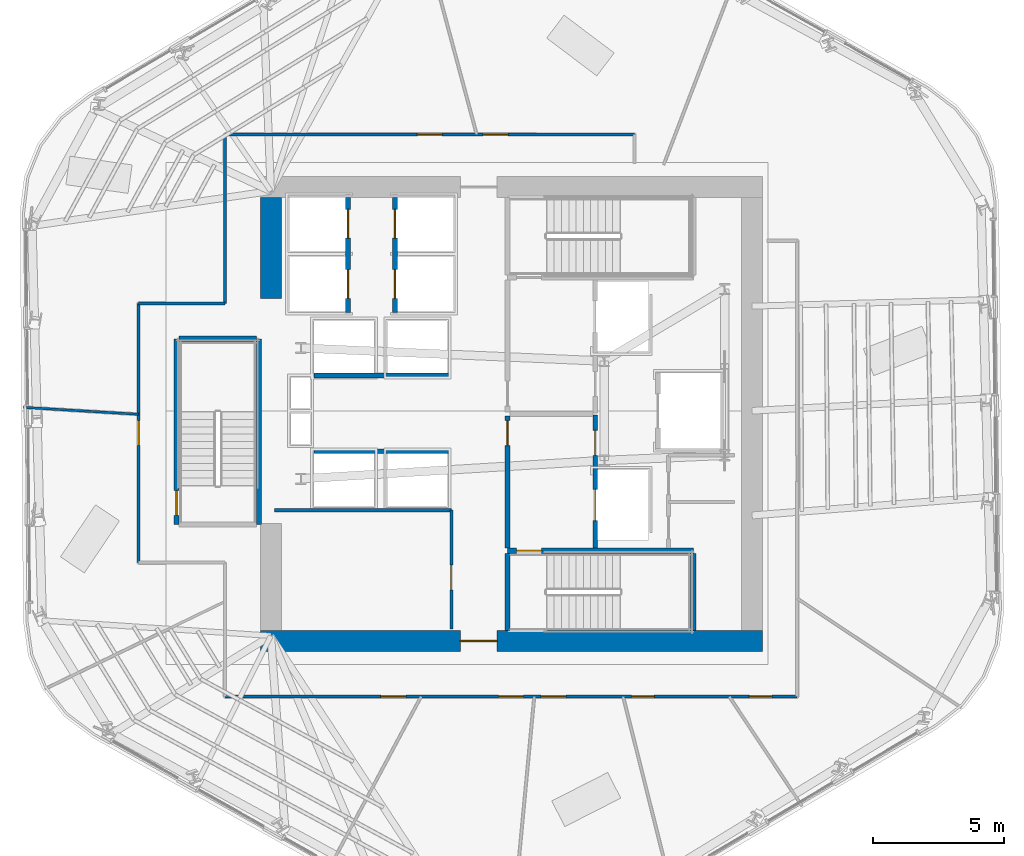
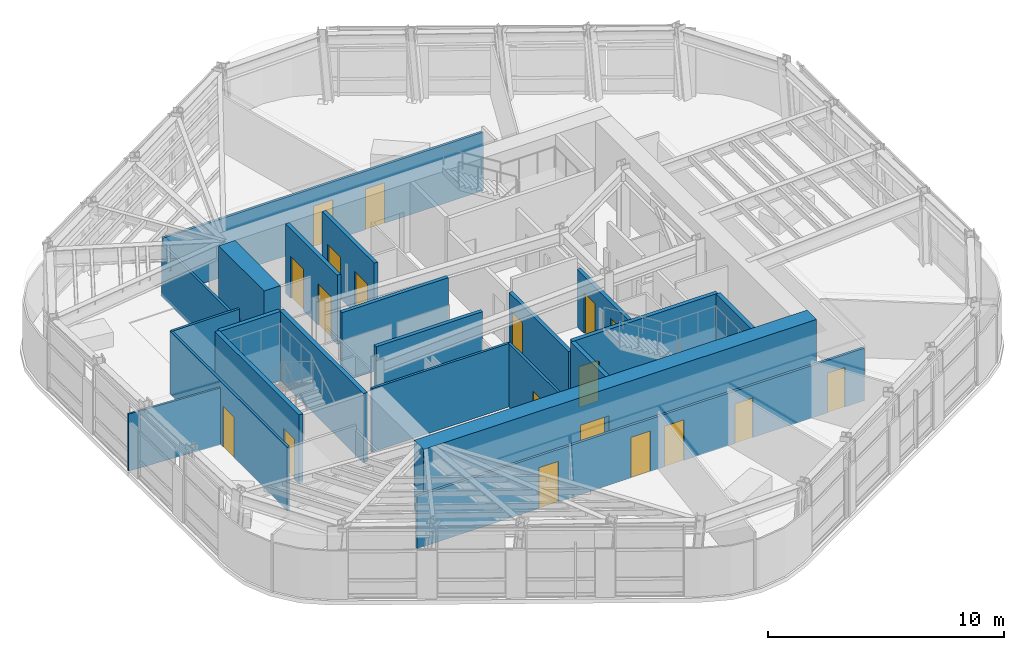
# One storey, part 8 of 16: 22 walls, 19 doors, 19 openings.
"""IFC4 building model written with IfcOpenShell, lengths in metres."""

from ifc_helpers import new_model, si_unit, direction, frame, frame_2d, origin, place, context, subcontext, project, spatial, rectangle, extrude, material, layer, layer_set, type_object, element, fill, save


model = new_model("IFC4")

# Units and contexts
model_context = context("Model", 3, precision=1e-05, world=origin(), true_north=direction((0.0, 1.0)))
body_context = subcontext(model_context, "Body", "Model", "MODEL_VIEW")
ifc_project = project(units=[si_unit("LENGTHUNIT", "METRE"), si_unit("AREAUNIT", "SQUARE_METRE"), si_unit("VOLUMEUNIT", "CUBIC_METRE"), si_unit("PLANEANGLEUNIT", "RADIAN"), si_unit("MASSUNIT", "GRAM", prefix="KILO")], contexts=[model_context])

# Site, building, storey
site_placement = place(None, origin())
site = spatial("IfcSite", under=ifc_project, at=site_placement, CompositionType="ELEMENT")
building_placement = place(site_placement, origin())
building = spatial("IfcBuilding", under=site, at=building_placement, Name="Valkerne Bourse Tower", CompositionType="ELEMENT")
storey_placement = place(building_placement, frame((0.0, 0.0, 155.199951171875)))
storey = spatial("IfcBuildingStorey", under=building, at=storey_placement, Name="L39", CompositionType="ELEMENT", Elevation=155.199951171875)

# Wall, opening, door
ifc_material_1 = material(Name="Concrete C55/67", Category="concrete")
ifc_layer_1 = layer(ifc_material_1, 0.800048828125)
ifc_layer_set_1 = layer_set([ifc_layer_1], Name="Concrete C55/67")
wall_type_1 = type_object("IfcWallType", Name="W-CORE-800", PredefinedType="SHEAR", material=ifc_layer_set_1)
wall_1_placement = place(storey_placement, frame((37.199951171875, 18.199951171875, 0.0), z_axis=(0.0, 0.0, 1.0), x_axis=(1.0, 0.0, 0.0)))
wall_1 = element("IfcWall", 1, at=wall_1_placement, inside=storey, type_object=wall_type_1, Name="L39 Core Shear Wall SOUTH", PredefinedType="SHEAR", context=body_context, shape_type="SweptSolid", body=[
    extrude(rectangle(XDim=19.199951171875, YDim=0.800048828125, at=frame_2d((9.60009765625, 0.0))), origin(), (0.0, 0.0, 1.0), 3.580078125),
])
opening_1_placement = place(wall_1_placement, frame((7.64990234375, 0.0, 0.0)))
opening_1 = element("IfcOpeningElement", 2, at=opening_1_placement, cuts=wall_1, Name="Opening D-PL-1400", PredefinedType="OPENING", context=body_context, shape_type="SweptSolid", body=[
    extrude(rectangle(XDim=1.39990234375, YDim=2.14990234375, at=frame_2d((0.699951171875, 1.074951171875))), frame((0.0, 0.409912109375, 0.0), z_axis=(0.0, -1.0, 0.0), x_axis=(1.0, 0.0, 0.0)), (0.0, 0.0, 1.0), 0.820068359375),
])
ifc_material_2 = material(Name="Galvanised Painted Steel", Category="steel")
door_type_1 = type_object("IfcDoorType", Name="DR-PLT-1400", OperationType="DOUBLE_DOOR_SINGLE_SWING", PredefinedType="DOOR", material=ifc_material_2)
door_1_placement = place(opening_1_placement, origin())
door_1 = element("IfcDoor", 3, at=door_1_placement, inside=storey, type_object=door_type_1, Name="L39 South Passenger Lift Hall Fire Door", OperationType="DOUBLE_DOOR_SINGLE_SWING", OverallHeight=2.14990234375, OverallWidth=1.39990234375, PredefinedType="DOOR", context=body_context, shape_type="SweptSolid", body=[
    extrude(rectangle(XDim=1.39990234375, YDim=2.14990234375, at=frame_2d((0.699951171875, 1.074951171875))), frame((0.0, 0.02490234375, 0.0), z_axis=(0.0, -1.0, 0.0), x_axis=(1.0, 0.0, 0.0)), (0.0, 0.0, 1.0), 0.050048828125),
])
fill(opening_1, door_1)

# Wall
wall_2_placement = place(storey_placement, frame((37.60009765625, 31.300048828125, 0.0), z_axis=(0.0, 0.0, 1.0), x_axis=(0.0, 1.0, 0.0)))
element("IfcWall", 4, at=wall_2_placement, inside=storey, type_object=wall_type_1, Name="L39 Core Shear Wall WEST-N", PredefinedType="SHEAR", context=body_context, shape_type="SweptSolid", body=[
    extrude(rectangle(XDim=3.849853515625, YDim=0.800048828125, at=frame_2d((1.9248046875, 0.0))), origin(), (0.0, 0.0, 1.0), 3.580078125),
])

# Wall, opening, door
ifc_material_3 = material(Name="Gypsum Board Steel-Stud Partition", Category="steel")
ifc_layer_2 = layer(ifc_material_3, 0.117919921875)
ifc_layer_set_2 = layer_set([ifc_layer_2], Name="Gypsum Board Steel-Stud Partition")
wall_type_2 = type_object("IfcWallType", Name="W-CORR-140", PredefinedType="PARTITIONING", material=ifc_layer_set_2)
wall_3_placement = place(storey_placement, frame((44.5, 18.64990234375, 0.0), z_axis=(0.0, 0.0, 1.0), x_axis=(0.0, 1.0, 0.0)))
wall_3 = element("IfcWall", 5, at=wall_3_placement, inside=storey, type_object=wall_type_2, Name="L39 LV7 Low-Bank East Wall", PredefinedType="PARTITIONING", context=body_context, shape_type="SweptSolid", body=[
    extrude(rectangle(XDim=4.550048828125, YDim=0.117919921875, at=frame_2d((2.27490234375, 0.0))), origin(), (0.0, 0.0, 1.0), 3.280029296875),
])
opening_2_placement = place(wall_3_placement, frame((1.5, 0.0, 0.0)))
opening_2 = element("IfcOpeningElement", 6, at=opening_2_placement, cuts=wall_3, Name="Opening D-SV-950", PredefinedType="OPENING", context=body_context, shape_type="SweptSolid", body=[
    extrude(rectangle(XDim=0.949951171875, YDim=2.050048828125, at=frame_2d((0.47509765625, 1.02490234375))), frame((0.0, 0.06884765625, 0.0), z_axis=(0.0, -1.0, 0.0), x_axis=(1.0, 0.0, 0.0)), (0.0, 0.0, 1.0), 0.137939453125),
])
door_type_2 = type_object("IfcDoorType", Name="DR-SRV-950", OperationType="NOTDEFINED", PredefinedType="DOOR", material=ifc_material_2)
door_2_placement = place(opening_2_placement, origin())
door_2 = element("IfcDoor", 7, at=door_2_placement, inside=storey, type_object=door_type_2, Name="L39 Algorithmic Matching Office Door", OperationType="SINGLE_SWING_LEFT", OverallHeight=2.050048828125, OverallWidth=0.949951171875, PredefinedType="DOOR", context=body_context, shape_type="SweptSolid", body=[
    extrude(rectangle(XDim=0.949951171875, YDim=2.050048828125, at=frame_2d((0.47509765625, 1.02490234375))), frame((0.0, 0.02490234375, 0.0), z_axis=(0.0, -1.0, 0.0), x_axis=(1.0, 0.0, 0.0)), (0.0, 0.0, 1.0), 0.050048828125),
])
fill(opening_2, door_2)

# Wall
wall_4_placement = place(storey_placement, frame((37.75, 23.199951171875, 0.0), z_axis=(0.0, 0.0, 1.0), x_axis=(1.0, 0.0, 0.0)))
element("IfcWall", 8, at=wall_4_placement, inside=storey, type_object=wall_type_2, Name="L39 LV7 Low-Bank North Wall", PredefinedType="PARTITIONING", context=body_context, shape_type="SweptSolid", body=[
    extrude(rectangle(XDim=6.75, YDim=0.117919921875, at=frame_2d((3.375, 0.0))), origin(), (0.0, 0.0, 1.0), 3.280029296875),
])

# Wall, opening, door
wall_5_placement = place(storey_placement, frame((32.550048828125, 21.199951171875, 0.0), z_axis=(0.0, 0.0, 1.0), x_axis=(0.0, 1.0, 0.0)))
wall_5 = element("IfcWall", 9, at=wall_5_placement, inside=storey, type_object=wall_type_2, Name="L39 Corridor Enclosure Wall", PredefinedType="PARTITIONING", context=body_context, shape_type="SweptSolid", body=[
    extrude(rectangle(XDim=9.900146484375, YDim=0.117919921875, at=frame_2d((4.9501953125, 0.0))), origin(), (0.0, 0.0, 1.0), 3.280029296875),
])
opening_3_placement = place(wall_5_placement, frame((4.47509765625, 0.0, 0.0)))
opening_3 = element("IfcOpeningElement", 10, at=opening_3_placement, cuts=wall_5, Name="Opening D-OF-950", PredefinedType="OPENING", context=body_context, shape_type="SweptSolid", body=[
    extrude(rectangle(XDim=0.949951171875, YDim=2.10009765625, at=frame_2d((0.47509765625, 1.050048828125))), frame((0.0, 0.06884765625, 0.0), z_axis=(0.0, -1.0, 0.0), x_axis=(1.0, 0.0, 0.0)), (0.0, 0.0, 1.0), 0.137939453125),
])
ifc_material_4 = material(Name="Architectural White Oak Timber", Category="wood")
door_type_3 = type_object("IfcDoorType", Name="DR-OFF-950", OperationType="NOTDEFINED", PredefinedType="DOOR", material=ifc_material_4)
door_3_placement = place(opening_3_placement, origin())
door_3 = element("IfcDoor", 11, at=door_3_placement, inside=storey, type_object=door_type_3, Name="L39 L39 Commodities Market Showroom 4 Door", OperationType="SINGLE_SWING_RIGHT", OverallHeight=2.10009765625, OverallWidth=0.949951171875, PredefinedType="DOOR", context=body_context, shape_type="SweptSolid", body=[
    extrude(rectangle(XDim=0.949951171875, YDim=2.10009765625, at=frame_2d((0.47509765625, 1.050048828125))), frame((0.0, 0.02490234375, 0.0), z_axis=(0.0, -1.0, 0.0), x_axis=(1.0, 0.0, 0.0)), (0.0, 0.0, 1.0), 0.050048828125),
])
fill(opening_3, door_3)

# Walls
wall_6_placement = place(storey_placement, frame((32.550048828125, 31.10009765625, 0.0), z_axis=(0.0, 0.0, 1.0), x_axis=(1.0, 0.0, 0.0)))
element("IfcWall", 12, at=wall_6_placement, inside=storey, type_object=wall_type_2, Name="L39 Corridor Enclosure Wall", PredefinedType="PARTITIONING", context=body_context, shape_type="SweptSolid", body=[
    extrude(rectangle(XDim=3.300048828125, YDim=0.117919921875, at=frame_2d((1.64990234375, 0.0))), origin(), (0.0, 0.0, 1.0), 3.280029296875),
])
wall_7_placement = place(storey_placement, frame((35.85009765625, 31.10009765625, 0.0), z_axis=(0.0, 0.0, 1.0), x_axis=(0.0, 1.0, 0.0)))
element("IfcWall", 13, at=wall_7_placement, inside=storey, type_object=wall_type_2, Name="L39 Corridor Enclosure Wall", PredefinedType="PARTITIONING", context=body_context, shape_type="SweptSolid", body=[
    extrude(rectangle(XDim=6.4599609375, YDim=0.117919921875, at=frame_2d((3.22998046875, 0.0))), origin(), (0.0, 0.0, 1.0), 2.711669921875),
])

# Wall, openings, doors
wall_8_placement = place(storey_placement, frame((35.85009765625, 37.56005859375, 0.0), z_axis=(0.0, 0.0, 1.0), x_axis=(1.0, 0.0, 0.0)))
wall_8 = element("IfcWall", 14, at=wall_8_placement, inside=storey, type_object=wall_type_2, Name="L39 Corridor Enclosure Wall", PredefinedType="PARTITIONING", context=body_context, shape_type="SweptSolid", body=[
    extrude(rectangle(XDim=15.64990234375, YDim=0.117919921875, at=frame_2d((7.824951171875, 0.0))), origin(), (0.0, 0.0, 1.0), 3.021484375),
])
opening_4_placement = place(wall_8_placement, frame((9.8701171875, 0.0, 0.0)))
opening_4 = element("IfcOpeningElement", 15, at=opening_4_placement, cuts=wall_8, Name="Opening D-OF-950", PredefinedType="OPENING", context=body_context, shape_type="SweptSolid", body=[
    extrude(rectangle(XDim=0.949951171875, YDim=2.10009765625, at=frame_2d((0.47509765625, 1.050048828125))), frame((0.0, 0.06884765625, 0.0), z_axis=(0.0, -1.0, 0.0), x_axis=(1.0, 0.0, 0.0)), (0.0, 0.0, 1.0), 0.137939453125),
])
opening_5_placement = place(wall_8_placement, frame((7.35009765625, 0.0, 0.0)))
opening_5 = element("IfcOpeningElement", 16, at=opening_5_placement, cuts=wall_8, Name="Opening D-OF-950", PredefinedType="OPENING", context=body_context, shape_type="SweptSolid", body=[
    extrude(rectangle(XDim=0.949951171875, YDim=2.10009765625, at=frame_2d((0.47509765625, 1.050048828125))), frame((0.0, 0.06884765625, 0.0), z_axis=(0.0, -1.0, 0.0), x_axis=(1.0, 0.0, 0.0)), (0.0, 0.0, 1.0), 0.137939453125),
])
door_4_placement = place(opening_4_placement, origin())
door_4 = element("IfcDoor", 17, at=door_4_placement, inside=storey, type_object=door_type_3, Name="L39 L39 Trading Desk Office 7 Door", OperationType="SINGLE_SWING_RIGHT", OverallHeight=2.10009765625, OverallWidth=0.949951171875, PredefinedType="DOOR", context=body_context, shape_type="SweptSolid", body=[
    extrude(rectangle(XDim=0.949951171875, YDim=2.10009765625, at=frame_2d((0.47509765625, 1.050048828125))), frame((0.0, 0.02490234375, 0.0), z_axis=(0.0, -1.0, 0.0), x_axis=(1.0, 0.0, 0.0)), (0.0, 0.0, 1.0), 0.050048828125),
])
fill(opening_4, door_4)
door_5_placement = place(opening_5_placement, origin())
door_5 = element("IfcDoor", 18, at=door_5_placement, inside=storey, type_object=door_type_3, Name="L39 L39 Trading Desk Office 8 Door", OperationType="SINGLE_SWING_LEFT", OverallHeight=2.10009765625, OverallWidth=0.949951171875, PredefinedType="DOOR", context=body_context, shape_type="SweptSolid", body=[
    extrude(rectangle(XDim=0.949951171875, YDim=2.10009765625, at=frame_2d((0.47509765625, 1.050048828125))), frame((0.0, 0.02490234375, 0.0), z_axis=(0.0, -1.0, 0.0), x_axis=(1.0, 0.0, 0.0)), (0.0, 0.0, 1.0), 0.050048828125),
])
fill(opening_5, door_5)

wall_9_placement = place(storey_placement, frame((57.719970703125, 16.080078125, 0.0), z_axis=(0.0, 0.0, 1.0), x_axis=(-1.0, 0.0, 0.0)))
wall_9 = element("IfcWall", 19, at=wall_9_placement, inside=storey, type_object=wall_type_2, Name="L39 Corridor Enclosure Wall", PredefinedType="PARTITIONING", context=body_context, shape_type="SweptSolid", body=[
    extrude(rectangle(XDim=21.869873046875, YDim=0.117919921875, at=frame_2d((10.93505859375, 0.0))), origin(), (0.0, 0.0, 1.0), 2.711669921875),
])
opening_6_placement = place(wall_9_placement, frame((5.465087890625, 0.0, 0.0)))
opening_6 = element("IfcOpeningElement", 20, at=opening_6_placement, cuts=wall_9, Name="Opening D-WC-900", PredefinedType="OPENING", context=body_context, shape_type="SweptSolid", body=[
    extrude(rectangle(XDim=0.860107421875, YDim=2.050048828125, at=frame_2d((0.43017578125, 1.02490234375))), frame((0.0, 0.06884765625, 0.0), z_axis=(0.0, -1.0, 0.0), x_axis=(1.0, 0.0, 0.0)), (0.0, 0.0, 1.0), 0.137939453125),
])
opening_7_placement = place(wall_9_placement, frame((0.965087890625, 0.0, 0.0)))
opening_7 = element("IfcOpeningElement", 21, at=opening_7_placement, cuts=wall_9, Name="Opening D-WC-900", PredefinedType="OPENING", context=body_context, shape_type="SweptSolid", body=[
    extrude(rectangle(XDim=0.860107421875, YDim=2.050048828125, at=frame_2d((0.43017578125, 1.02490234375))), frame((0.0, 0.06884765625, 0.0), z_axis=(0.0, -1.0, 0.0), x_axis=(1.0, 0.0, 0.0)), (0.0, 0.0, 1.0), 0.137939453125),
])
opening_8_placement = place(wall_9_placement, frame((8.840087890625, 0.0, 0.0)))
opening_8 = element("IfcOpeningElement", 22, at=opening_8_placement, cuts=wall_9, Name="Opening D-OF-950", PredefinedType="OPENING", context=body_context, shape_type="SweptSolid", body=[
    extrude(rectangle(XDim=0.949951171875, YDim=2.10009765625, at=frame_2d((0.47509765625, 1.050048828125))), frame((0.0, 0.06884765625, 0.0), z_axis=(0.0, -1.0, 0.0), x_axis=(1.0, 0.0, 0.0)), (0.0, 0.0, 1.0), 0.137939453125),
])
opening_9_placement = place(wall_9_placement, frame((10.4599609375, 0.0, 0.0)))
opening_9 = element("IfcOpeningElement", 23, at=opening_9_placement, cuts=wall_9, Name="Opening D-OF-950", PredefinedType="OPENING", context=body_context, shape_type="SweptSolid", body=[
    extrude(rectangle(XDim=0.949951171875, YDim=2.10009765625, at=frame_2d((0.47509765625, 1.050048828125))), frame((0.0, 0.06884765625, 0.0), z_axis=(0.0, -1.0, 0.0), x_axis=(1.0, 0.0, 0.0)), (0.0, 0.0, 1.0), 0.137939453125),
])
opening_10_placement = place(wall_9_placement, frame((14.9599609375, 0.0, 0.0)))
opening_10 = element("IfcOpeningElement", 24, at=opening_10_placement, cuts=wall_9, Name="Opening D-OF-950", PredefinedType="OPENING", context=body_context, shape_type="SweptSolid", body=[
    extrude(rectangle(XDim=0.949951171875, YDim=2.10009765625, at=frame_2d((0.47509765625, 1.050048828125))), frame((0.0, 0.06884765625, 0.0), z_axis=(0.0, -1.0, 0.0), x_axis=(1.0, 0.0, 0.0)), (0.0, 0.0, 1.0), 0.137939453125),
])
door_6_placement = place(opening_8_placement, origin())
door_6 = element("IfcDoor", 25, at=door_6_placement, inside=storey, type_object=door_type_3, Name="L39 L39 Commodities Market Showroom 3 Door", OperationType="SINGLE_SWING_RIGHT", OverallHeight=2.10009765625, OverallWidth=0.949951171875, PredefinedType="DOOR", context=body_context, shape_type="SweptSolid", body=[
    extrude(rectangle(XDim=0.949951171875, YDim=2.10009765625, at=frame_2d((0.47509765625, 1.050048828125))), frame((0.0, 0.02490234375, 0.0), z_axis=(0.0, -1.0, 0.0), x_axis=(1.0, 0.0, 0.0)), (0.0, 0.0, 1.0), 0.050048828125),
])
fill(opening_8, door_6)
door_7_placement = place(opening_9_placement, origin())
door_7 = element("IfcDoor", 26, at=door_7_placement, inside=storey, type_object=door_type_3, Name="L39 L39 Hospitality Catering Kitchen 5 Door", OperationType="SINGLE_SWING_RIGHT", OverallHeight=2.10009765625, OverallWidth=0.949951171875, PredefinedType="DOOR", context=body_context, shape_type="SweptSolid", body=[
    extrude(rectangle(XDim=0.949951171875, YDim=2.10009765625, at=frame_2d((0.47509765625, 1.050048828125))), frame((0.0, 0.02490234375, 0.0), z_axis=(0.0, -1.0, 0.0), x_axis=(1.0, 0.0, 0.0)), (0.0, 0.0, 1.0), 0.050048828125),
])
fill(opening_9, door_7)
door_8_placement = place(opening_10_placement, origin())
door_8 = element("IfcDoor", 27, at=door_8_placement, inside=storey, type_object=door_type_3, Name="L39 L39 Hospitality Catering Kitchen 6 Door", OperationType="SINGLE_SWING_RIGHT", OverallHeight=2.10009765625, OverallWidth=0.949951171875, PredefinedType="DOOR", context=body_context, shape_type="SweptSolid", body=[
    extrude(rectangle(XDim=0.949951171875, YDim=2.10009765625, at=frame_2d((0.47509765625, 1.050048828125))), frame((0.0, 0.02490234375, 0.0), z_axis=(0.0, -1.0, 0.0), x_axis=(1.0, 0.0, 0.0)), (0.0, 0.0, 1.0), 0.050048828125),
])
fill(opening_10, door_8)
door_type_4 = type_object("IfcDoorType", Name="DR-WC-900", OperationType="NOTDEFINED", PredefinedType="DOOR", material=ifc_material_4)
door_9_placement = place(opening_6_placement, origin())
door_9 = element("IfcDoor", 28, at=door_9_placement, inside=storey, type_object=door_type_4, Name="L39 L39 Men Bathroom WC 1 Door", OperationType="SINGLE_SWING_RIGHT", OverallHeight=2.050048828125, OverallWidth=0.860107421875, PredefinedType="DOOR", context=body_context, shape_type="SweptSolid", body=[
    extrude(rectangle(XDim=0.860107421875, YDim=2.050048828125, at=frame_2d((0.43017578125, 1.02490234375))), frame((0.0, 0.02490234375, 0.0), z_axis=(0.0, -1.0, 0.0), x_axis=(1.0, 0.0, 0.0)), (0.0, 0.0, 1.0), 0.050048828125),
])
fill(opening_6, door_9)
door_10_placement = place(opening_7_placement, origin())
door_10 = element("IfcDoor", 29, at=door_10_placement, inside=storey, type_object=door_type_4, Name="L39 L39 Women Restroom & Shower WC 2 Door", OperationType="SINGLE_SWING_RIGHT", OverallHeight=2.050048828125, OverallWidth=0.860107421875, PredefinedType="DOOR", context=body_context, shape_type="SweptSolid", body=[
    extrude(rectangle(XDim=0.860107421875, YDim=2.050048828125, at=frame_2d((0.43017578125, 1.02490234375))), frame((0.0, 0.02490234375, 0.0), z_axis=(0.0, -1.0, 0.0), x_axis=(1.0, 0.0, 0.0)), (0.0, 0.0, 1.0), 0.050048828125),
])
fill(opening_7, door_10)

# Wall, opening, door
ifc_material_5 = material(Name="Gypsum Fire-Rated Shaftwall", Category="gypsum")
ifc_layer_3 = layer(ifc_material_5, 0.179931640625)
ifc_layer_set_3 = layer_set([ifc_layer_3], Name="Gypsum Fire-Rated Shaftwall")
wall_type_3 = type_object("IfcWallType", Name="W-FSAE-180", PredefinedType="PARTITIONING", material=ifc_layer_set_3)
wall_10_placement = place(storey_placement, frame((46.64990234375, 21.75, 0.0), z_axis=(0.0, 0.0, 1.0), x_axis=(0.0, 1.0, 0.0)))
wall_10 = element("IfcWall", 30, at=wall_10_placement, inside=storey, type_object=wall_type_3, Name="L39 FSAE-1 Lobby West Fire Wall", PredefinedType="PARTITIONING", context=body_context, shape_type="SweptSolid", body=[
    extrude(rectangle(XDim=5.050048828125, YDim=0.179931640625, at=frame_2d((2.52490234375, 0.0))), origin(), (0.0, 0.0, 1.0), 2.9580078125),
])
opening_11_placement = place(wall_10_placement, frame((3.919921875, 0.0, 0.0)))
opening_11 = element("IfcOpeningElement", 31, at=opening_11_placement, cuts=wall_10, Name="Opening D-FS-950", PredefinedType="OPENING", context=body_context, shape_type="SweptSolid", body=[
    extrude(rectangle(XDim=0.949951171875, YDim=2.10009765625, at=frame_2d((0.47509765625, 1.050048828125))), frame((0.0, 0.099853515625, 0.0), z_axis=(0.0, -1.0, 0.0), x_axis=(1.0, 0.0, 0.0)), (0.0, 0.0, 1.0), 0.199951171875),
])
door_type_5 = type_object("IfcDoorType", Name="DR-FSAE-950", OperationType="NOTDEFINED", PredefinedType="DOOR", material=ifc_material_2)
door_11_placement = place(opening_11_placement, origin())
door_11 = element("IfcDoor", 32, at=door_11_placement, inside=storey, type_object=door_type_5, Name="L39 FSAE-1 Hall Link Fire Door", OperationType="SINGLE_SWING_LEFT", OverallHeight=2.10009765625, OverallWidth=0.949951171875, PredefinedType="DOOR", context=body_context, shape_type="SweptSolid", body=[
    extrude(rectangle(XDim=0.949951171875, YDim=2.10009765625, at=frame_2d((0.47509765625, 1.050048828125))), frame((0.0, 0.02490234375, 0.0), z_axis=(0.0, -1.0, 0.0), x_axis=(1.0, 0.0, 0.0)), (0.0, 0.0, 1.0), 0.050048828125),
])
fill(opening_11, door_11)

# Wall, openings, doors
wall_11_placement = place(storey_placement, frame((50.0, 21.75, 0.0), z_axis=(0.0, 0.0, 1.0), x_axis=(0.0, 1.0, 0.0)))
wall_11 = element("IfcWall", 33, at=wall_11_placement, inside=storey, type_object=wall_type_3, Name="L39 FSAE-1 Lobby & Shaft Front Wall", PredefinedType="PARTITIONING", context=body_context, shape_type="SweptSolid", body=[
    extrude(rectangle(XDim=5.090087890625, YDim=0.179931640625, at=frame_2d((2.544921875, 0.0))), origin(), (0.0, 0.0, 1.0), 2.9580078125),
])
opening_12_placement = place(wall_11_placement, frame((1.050048828125, 0.0, 0.0)))
opening_12 = element("IfcOpeningElement", 34, at=opening_12_placement, cuts=wall_11, Name="Opening LD-1200", PredefinedType="OPENING", context=body_context, shape_type="SweptSolid", body=[
    extrude(rectangle(XDim=1.199951171875, YDim=2.14990234375, at=frame_2d((0.60009765625, 1.074951171875))), frame((0.0, 0.099853515625, 0.0), z_axis=(0.0, -1.0, 0.0), x_axis=(1.0, 0.0, 0.0)), (0.0, 0.0, 1.0), 0.199951171875),
])
opening_13_placement = place(wall_11_placement, frame((3.550048828125, 0.0, 0.0)))
opening_13 = element("IfcOpeningElement", 35, at=opening_13_placement, cuts=wall_11, Name="Opening D-FS-950", PredefinedType="OPENING", context=body_context, shape_type="SweptSolid", body=[
    extrude(rectangle(XDim=0.949951171875, YDim=2.10009765625, at=frame_2d((0.47509765625, 1.050048828125))), frame((0.0, 0.099853515625, 0.0), z_axis=(0.0, -1.0, 0.0), x_axis=(1.0, 0.0, 0.0)), (0.0, 0.0, 1.0), 0.199951171875),
])
door_12_placement = place(opening_13_placement, origin())
door_12 = element("IfcDoor", 36, at=door_12_placement, inside=storey, type_object=door_type_5, Name="L39 FSAE-1 Lobby Corridor Fire Door", OperationType="SINGLE_SWING_LEFT", OverallHeight=2.10009765625, OverallWidth=0.949951171875, PredefinedType="DOOR", context=body_context, shape_type="SweptSolid", body=[
    extrude(rectangle(XDim=0.949951171875, YDim=2.10009765625, at=frame_2d((0.47509765625, 1.050048828125))), frame((0.0, 0.02490234375, 0.0), z_axis=(0.0, -1.0, 0.0), x_axis=(1.0, 0.0, 0.0)), (0.0, 0.0, 1.0), 0.050048828125),
])
fill(opening_13, door_12)
ifc_material_6 = material(Name="Stainless Steel AISI 316", Category="steel")
door_type_6 = type_object("IfcDoorType", Name="DR-LIFT-1200", OperationType="DOUBLE_DOOR_SLIDING", PredefinedType="DOOR", material=ifc_material_6)
door_13_placement = place(opening_12_placement, origin())
door_13 = element("IfcDoor", 37, at=door_13_placement, inside=storey, type_object=door_type_6, Name="L39 FSAE-1 Firefighting Lift Landing Door", OperationType="DOUBLE_DOOR_SLIDING", OverallHeight=2.14990234375, OverallWidth=1.199951171875, PredefinedType="DOOR", context=body_context, shape_type="SweptSolid", body=[
    extrude(rectangle(XDim=1.199951171875, YDim=2.14990234375, at=frame_2d((0.60009765625, 1.074951171875))), frame((0.0, 0.02490234375, 0.0), z_axis=(0.0, -1.0, 0.0), x_axis=(1.0, 0.0, 0.0)), (0.0, 0.0, 1.0), 0.050048828125),
])
fill(opening_12, door_13)

ifc_material_7 = material(Name="CMU Blockwork Masonry 200mm", Category="masonry")
ifc_layer_4 = layer(ifc_material_7, 0.179931640625)
ifc_layer_set_4 = layer_set([ifc_layer_4], Name="CMU Blockwork Masonry 200mm")
wall_type_4 = type_object("IfcWallType", Name="W-LFT-180", PredefinedType="SOLIDWALL", material=ifc_layer_set_4)
wall_12_placement = place(storey_placement, frame((40.550048828125, 30.75, 0.0), z_axis=(0.0, 0.0, 1.0), x_axis=(0.0, 1.0, 0.0)))
wall_12 = element("IfcWall", 38, at=wall_12_placement, inside=storey, type_object=wall_type_4, Name="L39 Mid-Zone West Cars Front Wall", PredefinedType="SOLIDWALL", context=body_context, shape_type="SweptSolid", body=[
    extrude(rectangle(XDim=4.39990234375, YDim=0.179931640625, at=frame_2d((2.199951171875, 0.0))), origin(), (0.0, 0.0, 1.0), 3.580078125),
])
opening_14_placement = place(wall_12_placement, frame((0.550048828125, 0.0, 0.0)))
opening_14 = element("IfcOpeningElement", 39, at=opening_14_placement, cuts=wall_12, Name="Opening LD-1100", PredefinedType="OPENING", context=body_context, shape_type="SweptSolid", body=[
    extrude(rectangle(XDim=1.10009765625, YDim=2.14990234375, at=frame_2d((0.550048828125, 1.074951171875))), frame((0.0, 0.099853515625, 0.0), z_axis=(0.0, -1.0, 0.0), x_axis=(1.0, 0.0, 0.0)), (0.0, 0.0, 1.0), 0.199951171875),
])
opening_15_placement = place(wall_12_placement, frame((2.85009765625, 0.0, 0.0)))
opening_15 = element("IfcOpeningElement", 40, at=opening_15_placement, cuts=wall_12, Name="Opening LD-1100", PredefinedType="OPENING", context=body_context, shape_type="SweptSolid", body=[
    extrude(rectangle(XDim=1.10009765625, YDim=2.14990234375, at=frame_2d((0.550048828125, 1.074951171875))), frame((0.0, 0.099853515625, 0.0), z_axis=(0.0, -1.0, 0.0), x_axis=(1.0, 0.0, 0.0)), (0.0, 0.0, 1.0), 0.199951171875),
])
door_type_7 = type_object("IfcDoorType", Name="DR-LIFT-1100", OperationType="DOUBLE_DOOR_SLIDING", PredefinedType="DOOR", material=ifc_material_6)
door_14_placement = place(opening_14_placement, origin())
door_14 = element("IfcDoor", 41, at=door_14_placement, inside=storey, type_object=door_type_7, Name="L39 Passenger Lift PL-M1 Sliding Landing Door", OperationType="DOUBLE_DOOR_SLIDING", OverallHeight=2.14990234375, OverallWidth=1.10009765625, PredefinedType="DOOR", context=body_context, shape_type="SweptSolid", body=[
    extrude(rectangle(XDim=1.10009765625, YDim=2.14990234375, at=frame_2d((0.550048828125, 1.074951171875))), frame((0.0, 0.02490234375, 0.0), z_axis=(0.0, -1.0, 0.0), x_axis=(1.0, 0.0, 0.0)), (0.0, 0.0, 1.0), 0.050048828125),
])
fill(opening_14, door_14)
door_15_placement = place(opening_15_placement, origin())
door_15 = element("IfcDoor", 42, at=door_15_placement, inside=storey, type_object=door_type_7, Name="L39 Passenger Lift PL-M2 Sliding Landing Door", OperationType="DOUBLE_DOOR_SLIDING", OverallHeight=2.14990234375, OverallWidth=1.10009765625, PredefinedType="DOOR", context=body_context, shape_type="SweptSolid", body=[
    extrude(rectangle(XDim=1.10009765625, YDim=2.14990234375, at=frame_2d((0.550048828125, 1.074951171875))), frame((0.0, 0.02490234375, 0.0), z_axis=(0.0, -1.0, 0.0), x_axis=(1.0, 0.0, 0.0)), (0.0, 0.0, 1.0), 0.050048828125),
])
fill(opening_15, door_15)

wall_13_placement = place(storey_placement, frame((42.35009765625, 30.75, 0.0), z_axis=(0.0, 0.0, 1.0), x_axis=(0.0, 1.0, 0.0)))
wall_13 = element("IfcWall", 43, at=wall_13_placement, inside=storey, type_object=wall_type_4, Name="L39 Mid-Zone East Cars Front Wall", PredefinedType="SOLIDWALL", context=body_context, shape_type="SweptSolid", body=[
    extrude(rectangle(XDim=4.39990234375, YDim=0.179931640625, at=frame_2d((2.199951171875, 0.0))), origin(), (0.0, 0.0, 1.0), 3.580078125),
])
opening_16_placement = place(wall_13_placement, frame((0.550048828125, 0.0, 0.0)))
opening_16 = element("IfcOpeningElement", 44, at=opening_16_placement, cuts=wall_13, Name="Opening LD-1100", PredefinedType="OPENING", context=body_context, shape_type="SweptSolid", body=[
    extrude(rectangle(XDim=1.10009765625, YDim=2.14990234375, at=frame_2d((0.550048828125, 1.074951171875))), frame((0.0, 0.099853515625, 0.0), z_axis=(0.0, -1.0, 0.0), x_axis=(1.0, 0.0, 0.0)), (0.0, 0.0, 1.0), 0.199951171875),
])
opening_17_placement = place(wall_13_placement, frame((2.85009765625, 0.0, 0.0)))
opening_17 = element("IfcOpeningElement", 45, at=opening_17_placement, cuts=wall_13, Name="Opening LD-1100", PredefinedType="OPENING", context=body_context, shape_type="SweptSolid", body=[
    extrude(rectangle(XDim=1.10009765625, YDim=2.14990234375, at=frame_2d((0.550048828125, 1.074951171875))), frame((0.0, 0.099853515625, 0.0), z_axis=(0.0, -1.0, 0.0), x_axis=(1.0, 0.0, 0.0)), (0.0, 0.0, 1.0), 0.199951171875),
])
door_16_placement = place(opening_16_placement, origin())
door_16 = element("IfcDoor", 46, at=door_16_placement, inside=storey, type_object=door_type_7, Name="L39 Passenger Lift PL-M3 Sliding Landing Door", OperationType="DOUBLE_DOOR_SLIDING", OverallHeight=2.14990234375, OverallWidth=1.10009765625, PredefinedType="DOOR", context=body_context, shape_type="SweptSolid", body=[
    extrude(rectangle(XDim=1.10009765625, YDim=2.14990234375, at=frame_2d((0.550048828125, 1.074951171875))), frame((0.0, 0.02490234375, 0.0), z_axis=(0.0, -1.0, 0.0), x_axis=(1.0, 0.0, 0.0)), (0.0, 0.0, 1.0), 0.050048828125),
])
fill(opening_16, door_16)
door_17_placement = place(opening_17_placement, origin())
door_17 = element("IfcDoor", 47, at=door_17_placement, inside=storey, type_object=door_type_7, Name="L39 Passenger Lift PL-M4 Sliding Landing Door", OperationType="DOUBLE_DOOR_SLIDING", OverallHeight=2.14990234375, OverallWidth=1.10009765625, PredefinedType="DOOR", context=body_context, shape_type="SweptSolid", body=[
    extrude(rectangle(XDim=1.10009765625, YDim=2.14990234375, at=frame_2d((0.550048828125, 1.074951171875))), frame((0.0, 0.02490234375, 0.0), z_axis=(0.0, -1.0, 0.0), x_axis=(1.0, 0.0, 0.0)), (0.0, 0.0, 1.0), 0.050048828125),
])
fill(opening_17, door_17)

# Walls
for number, where, z_axis, x_axis, name in (
    (48, (39.25, 25.449951171875, 0.0), (0.0, 0.0, 1.0), (1.0, 0.0, 0.0), "L39 High-Zone South Cars Front Wall"),
    (49, (39.25, 28.35009765625, 0.0), (0.0, 0.0, 1.0), (1.0, 0.0, 0.0), "L39 High-Zone North Cars Front Wall"),
):
    element("IfcWall", number, at=place(storey_placement, frame(where, z_axis=z_axis, x_axis=x_axis)), inside=storey, type_object=wall_type_4, Name=name, PredefinedType="SOLIDWALL", context=body_context, shape_type="SweptSolid", body=[
        extrude(rectangle(XDim=5.199951171875, YDim=0.179931640625, at=frame_2d((2.60009765625, 0.0))), origin(), (0.0, 0.0, 1.0), 3.580078125),
    ])
ifc_layer_5 = layer(ifc_material_3, 0.092041015625)
ifc_layer_set_5 = layer_set([ifc_layer_5], Name="Gypsum Board Steel-Stud Partition")
wall_type_5 = type_object("IfcWallType", Name="W-PART-115", PredefinedType="PARTITIONING", material=ifc_layer_set_5)
wall_14_placement = place(storey_placement, frame((32.544921875, 26.86669921875, 0.0), z_axis=(0.0, 0.0, 1.0), x_axis=(-0.998191717459, 0.060110691203, 0.0)))
element("IfcWall", 50, at=wall_14_placement, inside=storey, type_object=wall_type_5, Name="L39 Suite Partition P07", PredefinedType="PARTITIONING", context=body_context, shape_type="SweptSolid", body=[
    extrude(rectangle(XDim=4.410888671875, YDim=0.092041015625, at=frame_2d((2.20556640625, 0.0))), origin(), (0.0, 0.0, 1.0), 2.942626953125),
])

# Wall, opening, door
ifc_material_8 = material(Name="Concrete C40/50", Category="concrete")
ifc_layer_6 = layer(ifc_material_8, 0.199951171875)
ifc_layer_set_6 = layer_set([ifc_layer_6], Name="Concrete C40/50")
wall_type_6 = type_object("IfcWallType", Name="W-SHF-200", PredefinedType="SHEAR", material=ifc_layer_set_6)
wall_15_placement = place(storey_placement, frame((46.64990234375, 21.64990234375, 0.0), z_axis=(0.0, 0.0, 1.0), x_axis=(1.0, 0.0, 0.0)))
wall_15 = element("IfcWall", 51, at=wall_15_placement, inside=storey, type_object=wall_type_6, Name="L39 Exit Stair ST-1 Structural Shaft Wall North", PredefinedType="SHEAR", context=body_context, shape_type="SweptSolid", body=[
    extrude(rectangle(XDim=7.10009765625, YDim=0.199951171875, at=frame_2d((3.550048828125, 0.0))), origin(), (0.0, 0.0, 1.0), 3.580078125),
])
opening_18_placement = place(wall_15_placement, frame((0.35009765625, 0.0, 0.0)))
opening_18 = element("IfcOpeningElement", 52, at=opening_18_placement, cuts=wall_15, Name="Opening D-ST-950", PredefinedType="OPENING", context=body_context, shape_type="SweptSolid", body=[
    extrude(rectangle(XDim=0.949951171875, YDim=2.10009765625, at=frame_2d((0.47509765625, 1.050048828125))), frame((0.0, 0.10986328125, 0.0), z_axis=(0.0, -1.0, 0.0), x_axis=(1.0, 0.0, 0.0)), (0.0, 0.0, 1.0), 0.219970703125),
])
door_type_8 = type_object("IfcDoorType", Name="DR-STAIR-950", OperationType="NOTDEFINED", PredefinedType="DOOR", material=ifc_material_2)
door_18_placement = place(opening_18_placement, origin())
door_18 = element("IfcDoor", 53, at=door_18_placement, inside=storey, type_object=door_type_8, Name="L39 Exit Stair ST-1 Door", OperationType="SINGLE_SWING_RIGHT", OverallHeight=2.10009765625, OverallWidth=0.949951171875, PredefinedType="DOOR", context=body_context, shape_type="SweptSolid", body=[
    extrude(rectangle(XDim=0.949951171875, YDim=2.10009765625, at=frame_2d((0.47509765625, 1.050048828125))), frame((0.0, 0.02490234375, 0.0), z_axis=(0.0, -1.0, 0.0), x_axis=(1.0, 0.0, 0.0)), (0.0, 0.0, 1.0), 0.050048828125),
])
fill(opening_18, door_18)

# Walls
for number, where, z_axis, x_axis, name in (
    (54, (46.64990234375, 18.60009765625, 0.0), (0.0, 0.0, 1.0), (0.0, 1.0, 0.0), "L39 Exit Stair ST-1 Structural Shaft Wall West"),
    (55, (53.75, 18.60009765625, 0.0), (0.0, 0.0, 1.0), (0.0, 1.0, 0.0), "L39 Exit Stair ST-1 Structural Shaft Wall East"),
):
    element("IfcWall", number, at=place(storey_placement, frame(where, z_axis=z_axis, x_axis=x_axis)), inside=storey, type_object=wall_type_6, Name=name, PredefinedType="SHEAR", context=body_context, shape_type="SweptSolid", body=[
        extrude(rectangle(XDim=2.949951171875, YDim=0.199951171875, at=frame_2d((1.47509765625, 0.0))), origin(), (0.0, 0.0, 1.0), 3.580078125),
    ])

# Wall, opening, door
wall_16_placement = place(storey_placement, frame((34.0, 22.64990234375, 0.0), z_axis=(0.0, 0.0, 1.0), x_axis=(0.0, 1.0, 0.0)))
wall_16 = element("IfcWall", 56, at=wall_16_placement, inside=storey, type_object=wall_type_6, Name="L39 Exit Stair ST-3 Structural Shaft Wall West", PredefinedType="SHEAR", context=body_context, shape_type="SweptSolid", body=[
    extrude(rectangle(XDim=7.10009765625, YDim=0.199951171875, at=frame_2d((3.550048828125, 0.0))), origin(), (0.0, 0.0, 1.0), 3.580078125),
])
opening_19_placement = place(wall_16_placement, frame((0.35009765625, 0.0, 0.0)))
opening_19 = element("IfcOpeningElement", 57, at=opening_19_placement, cuts=wall_16, Name="Opening D-ST-950", PredefinedType="OPENING", context=body_context, shape_type="SweptSolid", body=[
    extrude(rectangle(XDim=0.949951171875, YDim=2.10009765625, at=frame_2d((0.47509765625, 1.050048828125))), frame((0.0, 0.10986328125, 0.0), z_axis=(0.0, -1.0, 0.0), x_axis=(1.0, 0.0, 0.0)), (0.0, 0.0, 1.0), 0.219970703125),
])
door_19_placement = place(opening_19_placement, origin())
door_19 = element("IfcDoor", 58, at=door_19_placement, inside=storey, type_object=door_type_8, Name="L39 Exit Stair ST-3 Door", OperationType="SINGLE_SWING_LEFT", OverallHeight=2.10009765625, OverallWidth=0.949951171875, PredefinedType="DOOR", context=body_context, shape_type="SweptSolid", body=[
    extrude(rectangle(XDim=0.949951171875, YDim=2.10009765625, at=frame_2d((0.47509765625, 1.050048828125))), frame((0.0, 0.02490234375, 0.0), z_axis=(0.0, -1.0, 0.0), x_axis=(1.0, 0.0, 0.0)), (0.0, 0.0, 1.0), 0.050048828125),
])
fill(opening_19, door_19)

# Walls
wall_17_placement = place(storey_placement, frame((34.10009765625, 29.75, 0.0), z_axis=(0.0, 0.0, 1.0), x_axis=(1.0, 0.0, 0.0)))
element("IfcWall", 59, at=wall_17_placement, inside=storey, type_object=wall_type_6, Name="L39 Exit Stair ST-3 Structural Shaft Wall North", PredefinedType="SHEAR", context=body_context, shape_type="SweptSolid", body=[
    extrude(rectangle(XDim=2.949951171875, YDim=0.199951171875, at=frame_2d((1.47509765625, 0.0))), origin(), (0.0, 0.0, 1.0), 3.580078125),
])
wall_18_placement = place(storey_placement, frame((37.14990234375, 22.64990234375, 0.0), z_axis=(0.0, 0.0, 1.0), x_axis=(0.0, 1.0, 0.0)))
element("IfcWall", 60, at=wall_18_placement, inside=storey, type_object=wall_type_6, Name="L39 Exit Stair ST-3 Structural Shaft Wall East", PredefinedType="SHEAR", context=body_context, shape_type="SweptSolid", body=[
    extrude(rectangle(XDim=7.10009765625, YDim=0.199951171875, at=frame_2d((3.550048828125, 0.0))), origin(), (0.0, 0.0, 1.0), 3.580078125),
])

save(model, "model.ifc")
